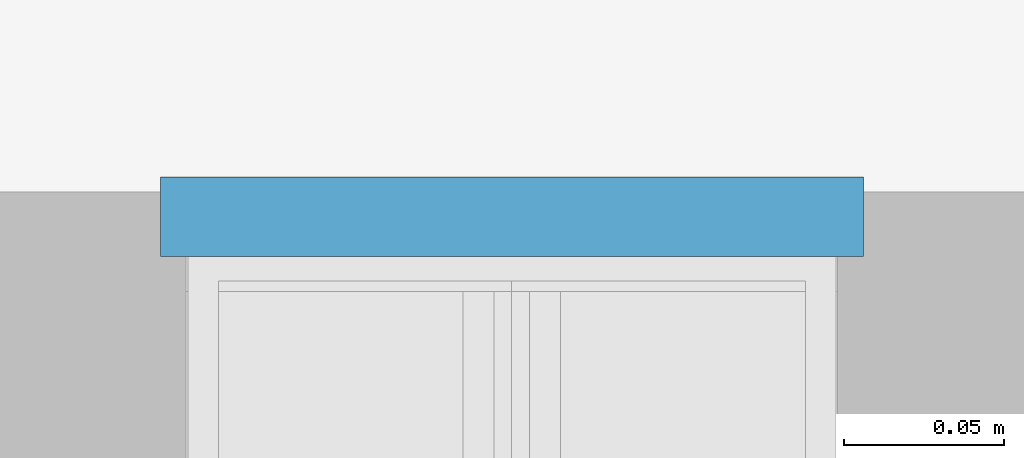
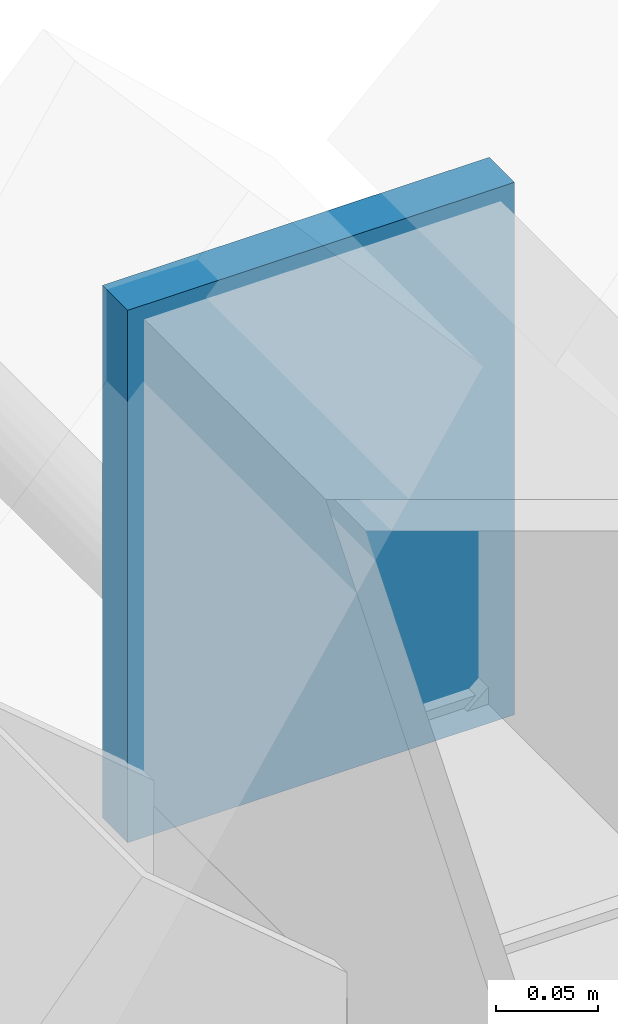
# One storey, part 9 of 18: 1 plate.
"""IFC4 building model written with IfcOpenShell, lengths in metres."""

from ifc_helpers import new_model, si_unit, direction, frame, origin, origin_2d, place, context, subcontext, project, spatial, rectangle, extrude, material, layer, layer_set, type_object, element, save


model = new_model("IFC4")

# Units and contexts
model_context = context("Model", 3, precision=1e-05, world=origin(), true_north=direction((0.0, 1.0)))
body_context = subcontext(model_context, "Body", "Model", "MODEL_VIEW")
ifc_project = project(units=[si_unit("LENGTHUNIT", "METRE"), si_unit("AREAUNIT", "SQUARE_METRE"), si_unit("VOLUMEUNIT", "CUBIC_METRE"), si_unit("PLANEANGLEUNIT", "RADIAN"), si_unit("MASSUNIT", "GRAM", prefix="KILO")], contexts=[model_context])

# Site, building, storey
site_placement = place(None, origin())
site = spatial("IfcSite", under=ifc_project, at=site_placement, CompositionType="ELEMENT")
building_placement = place(site_placement, origin())
building = spatial("IfcBuilding", under=site, at=building_placement, Name="Ochreholt Gables", CompositionType="ELEMENT")
storey_placement = place(building_placement, frame((0.0, 0.0, 19.199951171875)))
storey = spatial("IfcBuildingStorey", under=building, at=storey_placement, Name="L04", CompositionType="ELEMENT", Elevation=19.199951171875)

# Plate
ifc_material = material(Name="Steel CSA G40.21 350W", Category="steel")
ifc_layer = layer(ifc_material, 0.02490234375, Name="Steel CSA G40.21 350W")
ifc_layer_set = layer_set([ifc_layer], Name="Steel CSA G40.21 350W")
plate_type = type_object("IfcPlateType", Name="PL-ECP", PredefinedType="USERDEFINED", material=ifc_layer_set)
plate_placement = place(storey_placement, frame((50.10009765625, 37.39208984375, 3.50439453125), z_axis=(0.0, 0.0, 1.0), x_axis=(1.0, 0.0, 0.0)))
element("IfcPlate", 1, at=plate_placement, inside=storey, type_object=plate_type, Name="L04 Gable Ridge Welded End Cap Plate GB-04E2-N", ObjectType="END CAP PLATE", PredefinedType="USERDEFINED", context=body_context, shape_type="SweptSolid", body=[
    extrude(rectangle(XDim=0.219970703125, YDim=0.02490234375, at=origin_2d()), origin(), (0.0, 0.0, 1.0), 0.320068359375),
])

save(model, "model.ifc")
